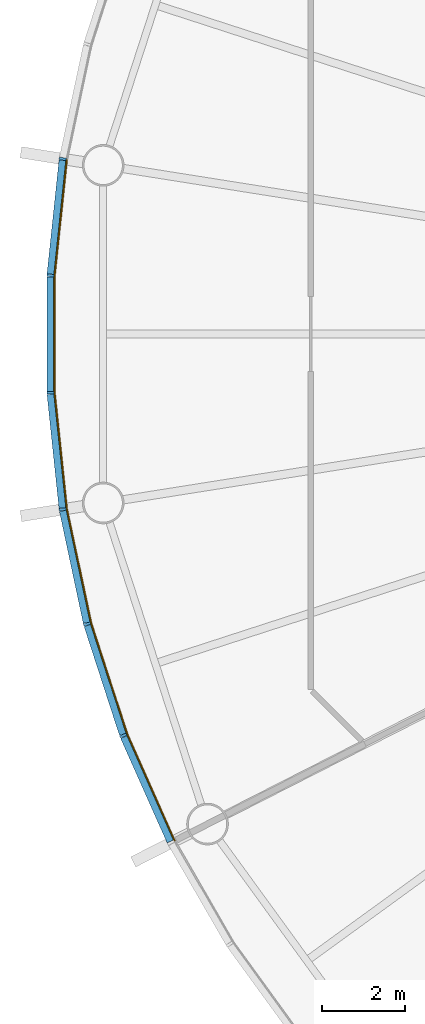
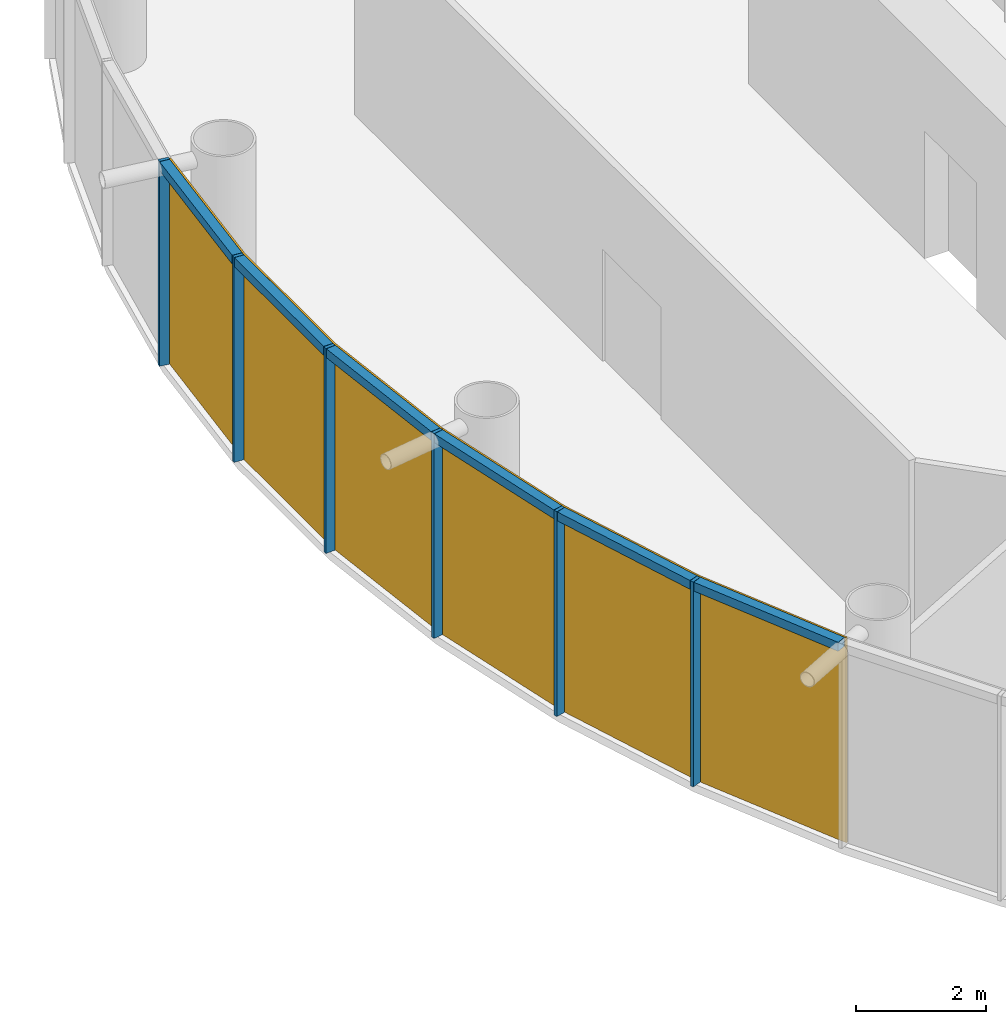
# One storey, part 8 of 13: 12 members, 2 curtain walls.
"""IFC4 building model written with IfcOpenShell, lengths in metres."""

from ifc_helpers import new_model, si_unit, direction, frame, origin, origin_2d, place, context, subcontext, project, spatial, polyline, rectangle, outline, extrude, material, layer, layer_set, material_profile, profile_set, type_object, element, aggregate, save


model = new_model("IFC4")

# Units and contexts
model_context = context("Model", 3, precision=1e-05, world=origin(), true_north=direction((0.0, 1.0)))
body_context = subcontext(model_context, "Body", "Model", "MODEL_VIEW")
ifc_project = project(units=[si_unit("LENGTHUNIT", "METRE"), si_unit("AREAUNIT", "SQUARE_METRE"), si_unit("VOLUMEUNIT", "CUBIC_METRE"), si_unit("PLANEANGLEUNIT", "RADIAN"), si_unit("MASSUNIT", "GRAM", prefix="KILO")], contexts=[model_context])

# Member
ifc_material_1 = material(Name="Anodised aluminium", Category="aluminium")
ifc_material_profile_1 = material_profile(ifc_material_1, rectangle(XDim=0.06005859375, YDim=0.169921875, at=origin_2d()), Name="Mullion 60 x 170 mm anodised aluminium")
ifc_profile_set_1 = profile_set([ifc_material_profile_1], Name="Anodised aluminium")
member_type_1 = type_object("IfcMemberType", Name="Mullion 60 x 170 mm anodised aluminium", PredefinedType="MULLION", material=ifc_profile_set_1)
site_placement = place(None, origin())
building_placement = place(site_placement, origin())
storey_placement = place(building_placement, frame((0.0, 0.0, 226.0)))
member_1_placement = place(storey_placement, frame((63.446044921875, 84.205810546875, 0.0), z_axis=(0.0, 0.0, 1.0), x_axis=(-0.15643446504, -0.987688340595, 0.0)))
member_1 = element("IfcMember", 1, at=member_1_placement, type_object=member_type_1, Name="MULLION L52-27", PredefinedType="MULLION", context=body_context, shape_type="SweptSolid", body=[
    extrude(rectangle(XDim=0.06005859375, YDim=0.169921875, at=origin_2d()), origin(), (0.0, 0.0, 1.0), 3.85009765625),
])

member_2_placement = place(storey_placement, frame((63.15185546875, 81.406982421875, 0.0), z_axis=(0.0, 0.0, 1.0), x_axis=(-0.052335956243, -0.998629534755, 0.0)))
member_2 = element("IfcMember", 2, at=member_2_placement, type_object=member_type_1, Name="MULLION L52-28", PredefinedType="MULLION", context=body_context, shape_type="SweptSolid", body=[
    extrude(rectangle(XDim=0.06005859375, YDim=0.169921875, at=origin_2d()), origin(), (0.0, 0.0, 1.0), 3.85009765625),
])

member_3_placement = place(storey_placement, frame((63.15185546875, 78.593017578125, 0.0), z_axis=(0.0, 0.0, 1.0), x_axis=(0.052335956243, -0.998629534755, 0.0)))
member_3 = element("IfcMember", 3, at=member_3_placement, type_object=member_type_1, Name="MULLION L52-29", PredefinedType="MULLION", context=body_context, shape_type="SweptSolid", body=[
    extrude(rectangle(XDim=0.06005859375, YDim=0.169921875, at=origin_2d()), origin(), (0.0, 0.0, 1.0), 3.85009765625),
])

member_4_placement = place(storey_placement, frame((63.446044921875, 75.794189453125, 0.0), z_axis=(0.0, 0.0, 1.0), x_axis=(0.15643446504, -0.987688340595, 0.0)))
member_4 = element("IfcMember", 4, at=member_4_placement, type_object=member_type_1, Name="MULLION L52-30", PredefinedType="MULLION", context=body_context, shape_type="SweptSolid", body=[
    extrude(rectangle(XDim=0.06005859375, YDim=0.169921875, at=origin_2d()), origin(), (0.0, 0.0, 1.0), 3.85009765625),
])

member_5_placement = place(storey_placement, frame((64.031005859375, 73.041748046875, 0.0), z_axis=(0.0, 0.0, 1.0), x_axis=(0.258819045103, -0.965925826289, 0.0)))
member_5 = element("IfcMember", 5, at=member_5_placement, type_object=member_type_1, Name="MULLION L52-31", PredefinedType="MULLION", context=body_context, shape_type="SweptSolid", body=[
    extrude(rectangle(XDim=0.06005859375, YDim=0.169921875, at=origin_2d()), origin(), (0.0, 0.0, 1.0), 3.85009765625),
])

member_6_placement = place(storey_placement, frame((64.900634765625, 70.365234375, 0.0), z_axis=(0.0, 0.0, 1.0), x_axis=(0.358367949545, -0.933580426497, 0.0)))
member_6 = element("IfcMember", 6, at=member_6_placement, type_object=member_type_1, Name="MULLION L52-32", PredefinedType="MULLION", context=body_context, shape_type="SweptSolid", body=[
    extrude(rectangle(XDim=0.06005859375, YDim=0.169921875, at=origin_2d()), origin(), (0.0, 0.0, 1.0), 3.85009765625),
])

ifc_material_2 = material(Name="Anodised aluminium", Category="aluminium")
ifc_material_profile_2 = material_profile(ifc_material_2, rectangle(XDim=0.169921875, YDim=0.1650390625, at=origin_2d()), Name="Transom 165 x 170 mm anodised aluminium")
ifc_profile_set_2 = profile_set([ifc_material_profile_2], Name="Anodised aluminium")
member_type_2 = type_object("IfcMemberType", Name="Transom 165 x 170 mm anodised aluminium", PredefinedType="USERDEFINED", material=ifc_profile_set_2)
member_7_placement = place(storey_placement, frame((63.4423828125, 84.17138671875, 3.767578125), z_axis=(-0.104592190102, -0.994515195344, 0.0), x_axis=(0.994515195344, -0.104592190102, 0.0)))
member_7 = element("IfcMember", 7, at=member_7_placement, type_object=member_type_2, Name="TRANSOM L52-27", ObjectType="TRANSOM", PredefinedType="USERDEFINED", context=body_context, shape_type="SweptSolid", body=[
    extrude(rectangle(XDim=0.169921875, YDim=0.1650390625, at=origin_2d()), origin(), (0.0, 0.0, 1.0), 2.7451171875),
])

member_8_placement = place(storey_placement, frame((63.151611328125, 81.37255859375, 3.767578125), z_axis=(0.0, -1.0, 0.0), x_axis=(1.0, 0.0, 0.0)))
member_8 = element("IfcMember", 8, at=member_8_placement, type_object=member_type_2, Name="TRANSOM L52-28", ObjectType="TRANSOM", PredefinedType="USERDEFINED", context=body_context, shape_type="SweptSolid", body=[
    extrude(rectangle(XDim=0.169921875, YDim=0.1650390625, at=origin_2d()), origin(), (0.0, 0.0, 1.0), 2.7451171875),
])

member_9_placement = place(storey_placement, frame((63.1552734375, 78.55859375, 3.767578125), z_axis=(0.104592190102, -0.994515195344, 0.0), x_axis=(0.994515195344, 0.104592190102, 0.0)))
member_9 = element("IfcMember", 9, at=member_9_placement, type_object=member_type_2, Name="TRANSOM L52-29", ObjectType="TRANSOM", PredefinedType="USERDEFINED", context=body_context, shape_type="SweptSolid", body=[
    extrude(rectangle(XDim=0.169921875, YDim=0.1650390625, at=origin_2d()), origin(), (0.0, 0.0, 1.0), 2.7451171875),
])

member_10_placement = place(storey_placement, frame((63.453125, 75.760498046875, 3.767578125), z_axis=(0.207937468562, -0.97814212115, 0.0), x_axis=(0.97814212115, 0.207937468562, 0.0)))
member_10 = element("IfcMember", 10, at=member_10_placement, type_object=member_type_2, Name="TRANSOM L52-30", ObjectType="TRANSOM", PredefinedType="USERDEFINED", context=body_context, shape_type="SweptSolid", body=[
    extrude(rectangle(XDim=0.169921875, YDim=0.1650390625, at=origin_2d()), origin(), (0.0, 0.0, 1.0), 2.7451171875),
])

member_11_placement = place(storey_placement, frame((64.04150390625, 73.0087890625, 3.767578125), z_axis=(0.309041831781, -0.951048445774, 0.0), x_axis=(0.951048445774, 0.309041831781, 0.0)))
member_11 = element("IfcMember", 11, at=member_11_placement, type_object=member_type_2, Name="TRANSOM L52-31", ObjectType="TRANSOM", PredefinedType="USERDEFINED", context=body_context, shape_type="SweptSolid", body=[
    extrude(rectangle(XDim=0.169921875, YDim=0.1650390625, at=origin_2d()), origin(), (0.0, 0.0, 1.0), 2.7451171875),
])

member_12_placement = place(storey_placement, frame((64.91455078125, 70.333740234375, 3.767578125), z_axis=(0.406781987391, -0.913525267704, 0.0), x_axis=(0.913525267704, 0.406781987391, 0.0)))
member_12 = element("IfcMember", 12, at=member_12_placement, type_object=member_type_2, Name="TRANSOM L52-32", ObjectType="TRANSOM", PredefinedType="USERDEFINED", context=body_context, shape_type="SweptSolid", body=[
    extrude(rectangle(XDim=0.169921875, YDim=0.1650390625, at=origin_2d()), origin(), (0.0, 0.0, 1.0), 2.7451171875),
])

# Site, building, storey
site = spatial("IfcSite", under=ifc_project, at=site_placement, CompositionType="ELEMENT")
building = spatial("IfcBuilding", under=site, at=building_placement, Name="Entoto Ring Tower", CompositionType="ELEMENT")
storey = spatial("IfcBuildingStorey", under=building, at=storey_placement, Name="L52", CompositionType="ELEMENT", Elevation=226.0)

# Curtain wall
ifc_material_3 = material(Name="Clear low-iron glass", Category="glass")
ifc_layer = layer(ifc_material_3, 0.031982421875)
ifc_layer_set = layer_set([ifc_layer], Name="Clear low-iron glass")
curtain_wall_type = type_object("IfcCurtainWallType", Name="Curtain wall system CW4 glazing 32 mm", PredefinedType="NOTDEFINED", material=ifc_layer_set)
curtain_wall_1_placement = place(storey_placement, origin())
curtain_wall_1 = element("IfcCurtainWall", 13, at=curtain_wall_1_placement, inside=storey, type_object=curtain_wall_type, Name="CW4 L52-10", PredefinedType="NOTDEFINED", context=body_context, shape_type="SweptSolid", body=[
    extrude(outline(polyline([(63.530029296875, 84.1923828125), (63.23681640625, 81.402587890625), (63.23681640625, 78.597412109375), (63.530029296875, 75.8076171875), (63.5615234375, 75.8125), (63.268798828125, 78.59912109375), (63.268798828125, 81.40087890625), (63.5615234375, 84.1875), (63.530029296875, 84.1923828125)])), origin(), (0.0, 0.0, 1.0), 3.85009765625),
])

aggregate(curtain_wall_1, [member_1, member_2, member_3, member_7, member_8, member_9])

curtain_wall_2_placement = place(storey_placement, origin())
curtain_wall_2 = element("IfcCurtainWall", 14, at=curtain_wall_2_placement, inside=storey, type_object=curtain_wall_type, Name="CW4 L52-11", PredefinedType="NOTDEFINED", context=body_context, shape_type="SweptSolid", body=[
    extrude(outline(polyline([(63.530029296875, 75.8076171875), (64.11328125, 73.063720703125), (64.97998046875, 70.395751953125), (66.12109375, 67.8330078125), (66.149658203125, 67.84765625), (65.010009765625, 70.4072265625), (64.14404296875, 73.072021484375), (63.5615234375, 75.8125), (63.530029296875, 75.8076171875)])), origin(), (0.0, 0.0, 1.0), 3.85009765625),
])

aggregate(curtain_wall_2, [member_4, member_5, member_6, member_10, member_11, member_12])

save(model, "model.ifc")
